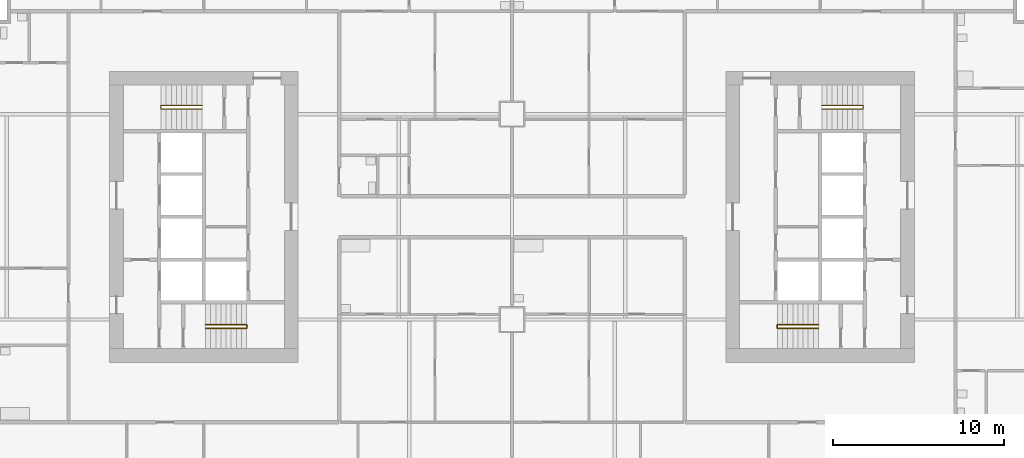
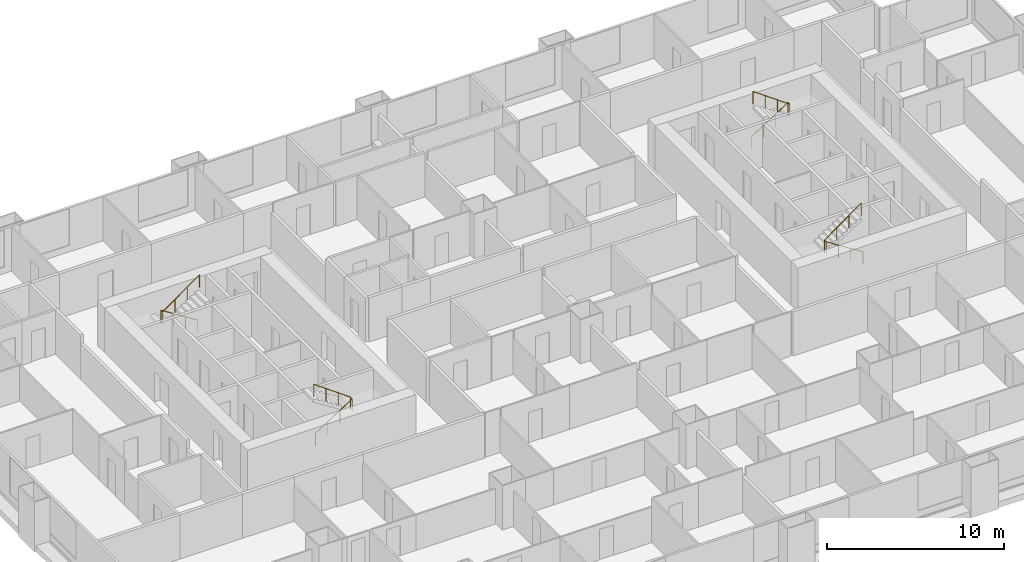
# One storey, part 12 of 13: 4 railings.
"""IFC4 building model written with IfcOpenShell, lengths in metres."""

from ifc_helpers import new_model, si_unit, direction, frame, origin, origin_2d, place, context, subcontext, project, spatial, circle, extrude, material, type_object, element, save


model = new_model("IFC4")

# Units and contexts
model_context = context("Model", 3, precision=1e-05, world=origin(), true_north=direction((0.0, 1.0)))
body_context = subcontext(model_context, "Body", "Model", "MODEL_VIEW")
ifc_project = project(units=[si_unit("LENGTHUNIT", "METRE"), si_unit("AREAUNIT", "SQUARE_METRE"), si_unit("VOLUMEUNIT", "CUBIC_METRE"), si_unit("PLANEANGLEUNIT", "RADIAN"), si_unit("MASSUNIT", "GRAM", prefix="KILO")], contexts=[model_context])

# Site, building, storey
site_placement = place(None, origin())
site = spatial("IfcSite", under=ifc_project, at=site_placement, CompositionType="ELEMENT")
building_placement = place(site_placement, origin())
building = spatial("IfcBuilding", under=site, at=building_placement, Name="Kitamizu Gate Tower and Museum", CompositionType="ELEMENT")
storey_placement = place(building_placement, frame((0.0, 0.0, 36.89990234375)))
storey = spatial("IfcBuildingStorey", under=building, at=storey_placement, Name="L07", CompositionType="ELEMENT", Elevation=36.89990234375)

# Railings
ifc_material = material(Name="Stainless steel SUS304", Category="steel")
railing_type = type_object("IfcRailingType", Name="Stair handrail 900", PredefinedType="HANDRAIL", material=ifc_material)
railing_1_placement = place(storey_placement, frame((18.10009765625, 23.5, 0.191650390625)))
element("IfcRailing", 1, at=railing_1_placement, inside=storey, type_object=railing_type, Name="Stair handrail ST1", PredefinedType="HANDRAIL", context=body_context, shape_type="SweptSolid", body=[
    extrude(circle(Radius=0.02392578125, at=origin_2d()), frame((0.0, 0.0, 0.8759765625), z_axis=(0.842668169335, 0.0, 0.538433242278), x_axis=(0.0, 1.0, 0.0)), (0.0, 0.0, 1.0), 2.847900390625),
    extrude(circle(Radius=0.02392578125, at=origin_2d()), frame((2.39990234375, 0.0, 2.4091796875), z_axis=(0.0, 1.0, 0.0), x_axis=(-1.0, 0.0, 0.0)), (0.0, 0.0, 1.0), 0.199951171875),
    extrude(circle(Radius=0.02392578125, at=origin_2d()), frame((2.39990234375, 0.199951171875, 2.4091796875), z_axis=(-0.811988456656, 0.0, 0.583673492852), x_axis=(0.0, -1.0, 0.0)), (0.0, 0.0, 1.0), 2.95556640625),
    extrude(circle(Radius=0.02099609375, at=origin_2d()), origin(), (0.0, 0.0, 1.0), 0.851806640625),
    extrude(circle(Radius=0.02099609375, at=origin_2d()), frame((0.800048828125, 0.0, 0.51123046875)), (0.0, 0.0, 1.0), 0.851806640625),
    extrude(circle(Radius=0.02099609375, at=origin_2d()), frame((1.599853515625, 0.0, 1.022216796875)), (0.0, 0.0, 1.0), 0.851806640625),
    extrude(circle(Radius=0.02099609375, at=origin_2d()), frame((2.39990234375, 0.0, 1.533447265625)), (0.0, 0.0, 1.0), 0.851806640625),
    extrude(circle(Radius=0.02099609375, at=origin_2d()), frame((2.39990234375, 0.199951171875, 1.533447265625)), (0.0, 0.0, 1.0), 0.851806640625),
    extrude(circle(Radius=0.02099609375, at=origin_2d()), frame((1.599853515625, 0.199951171875, 2.1083984375)), (0.0, 0.0, 1.0), 0.851806640625),
    extrude(circle(Radius=0.02099609375, at=origin_2d()), frame((0.800048828125, 0.199951171875, 2.68359375)), (0.0, 0.0, 1.0), 0.851806640625),
    extrude(circle(Radius=0.02099609375, at=origin_2d()), frame((0.0, 0.199951171875, 3.258544921875)), (0.0, 0.0, 1.0), 0.851806640625),
])
railing_2_placement = place(storey_placement, frame((17.89990234375, 36.5, 0.191650390625)))
element("IfcRailing", 2, at=railing_2_placement, inside=storey, type_object=railing_type, Name="Stair handrail ST2", PredefinedType="HANDRAIL", context=body_context, shape_type="SweptSolid", body=[
    extrude(circle(Radius=0.02392578125, at=origin_2d()), frame((0.0, 0.0, 0.8759765625), z_axis=(-0.842668169335, 0.0, 0.538433242278), x_axis=(0.0, -1.0, 0.0)), (0.0, 0.0, 1.0), 2.847900390625),
    extrude(circle(Radius=0.02392578125, at=origin_2d()), frame((-2.39990234375, 0.0, 2.4091796875), z_axis=(0.0, -1.0, 0.0), x_axis=(1.0, 0.0, 0.0)), (0.0, 0.0, 1.0), 0.199951171875),
    extrude(circle(Radius=0.02392578125, at=origin_2d()), frame((-2.39990234375, -0.199951171875, 2.4091796875), z_axis=(0.811988456656, 0.0, 0.583673492852), x_axis=(0.0, 1.0, 0.0)), (0.0, 0.0, 1.0), 2.95556640625),
    extrude(circle(Radius=0.02099609375, at=origin_2d()), origin(), (0.0, 0.0, 1.0), 0.851806640625),
    extrude(circle(Radius=0.02099609375, at=origin_2d()), frame((-0.800048828125, 0.0, 0.51123046875)), (0.0, 0.0, 1.0), 0.851806640625),
    extrude(circle(Radius=0.02099609375, at=origin_2d()), frame((-1.599853515625, 0.0, 1.022216796875)), (0.0, 0.0, 1.0), 0.851806640625),
    extrude(circle(Radius=0.02099609375, at=origin_2d()), frame((-2.39990234375, 0.0, 1.533447265625)), (0.0, 0.0, 1.0), 0.851806640625),
    extrude(circle(Radius=0.02099609375, at=origin_2d()), frame((-2.39990234375, -0.199951171875, 1.533447265625)), (0.0, 0.0, 1.0), 0.851806640625),
    extrude(circle(Radius=0.02099609375, at=origin_2d()), frame((-1.599853515625, -0.199951171875, 2.1083984375)), (0.0, 0.0, 1.0), 0.851806640625),
    extrude(circle(Radius=0.02099609375, at=origin_2d()), frame((-0.800048828125, -0.199951171875, 2.68359375)), (0.0, 0.0, 1.0), 0.851806640625),
    extrude(circle(Radius=0.02099609375, at=origin_2d()), frame((0.0, -0.199951171875, 3.258544921875)), (0.0, 0.0, 1.0), 0.851806640625),
])
railing_3_placement = place(storey_placement, frame((53.89990234375, 23.5, 0.191650390625)))
element("IfcRailing", 3, at=railing_3_placement, inside=storey, type_object=railing_type, Name="Stair handrail ST3", PredefinedType="HANDRAIL", context=body_context, shape_type="SweptSolid", body=[
    extrude(circle(Radius=0.02392578125, at=origin_2d()), frame((0.0, 0.0, 0.8759765625), z_axis=(-0.842668169335, 0.0, 0.538433242278), x_axis=(0.0, -1.0, 0.0)), (0.0, 0.0, 1.0), 2.847900390625),
    extrude(circle(Radius=0.02392578125, at=origin_2d()), frame((-2.39990234375, 0.0, 2.4091796875), z_axis=(0.0, 1.0, 0.0), x_axis=(-1.0, 0.0, 0.0)), (0.0, 0.0, 1.0), 0.199951171875),
    extrude(circle(Radius=0.02392578125, at=origin_2d()), frame((-2.39990234375, 0.199951171875, 2.4091796875), z_axis=(0.811988456656, 0.0, 0.583673492852), x_axis=(0.0, 1.0, 0.0)), (0.0, 0.0, 1.0), 2.95556640625),
    extrude(circle(Radius=0.02099609375, at=origin_2d()), origin(), (0.0, 0.0, 1.0), 0.851806640625),
    extrude(circle(Radius=0.02099609375, at=origin_2d()), frame((-0.800048828125, 0.0, 0.51123046875)), (0.0, 0.0, 1.0), 0.851806640625),
    extrude(circle(Radius=0.02099609375, at=origin_2d()), frame((-1.599853515625, 0.0, 1.022216796875)), (0.0, 0.0, 1.0), 0.851806640625),
    extrude(circle(Radius=0.02099609375, at=origin_2d()), frame((-2.39990234375, 0.0, 1.533447265625)), (0.0, 0.0, 1.0), 0.851806640625),
    extrude(circle(Radius=0.02099609375, at=origin_2d()), frame((-2.39990234375, 0.199951171875, 1.533447265625)), (0.0, 0.0, 1.0), 0.851806640625),
    extrude(circle(Radius=0.02099609375, at=origin_2d()), frame((-1.599853515625, 0.199951171875, 2.1083984375)), (0.0, 0.0, 1.0), 0.851806640625),
    extrude(circle(Radius=0.02099609375, at=origin_2d()), frame((-0.800048828125, 0.199951171875, 2.68359375)), (0.0, 0.0, 1.0), 0.851806640625),
    extrude(circle(Radius=0.02099609375, at=origin_2d()), frame((0.0, 0.199951171875, 3.258544921875)), (0.0, 0.0, 1.0), 0.851806640625),
])
railing_4_placement = place(storey_placement, frame((54.10009765625, 36.5, 0.191650390625)))
element("IfcRailing", 4, at=railing_4_placement, inside=storey, type_object=railing_type, Name="Stair handrail ST4", PredefinedType="HANDRAIL", context=body_context, shape_type="SweptSolid", body=[
    extrude(circle(Radius=0.02392578125, at=origin_2d()), frame((0.0, 0.0, 0.8759765625), z_axis=(0.842668169335, 0.0, 0.538433242278), x_axis=(0.0, 1.0, 0.0)), (0.0, 0.0, 1.0), 2.847900390625),
    extrude(circle(Radius=0.02392578125, at=origin_2d()), frame((2.39990234375, 0.0, 2.4091796875), z_axis=(0.0, -1.0, 0.0), x_axis=(1.0, 0.0, 0.0)), (0.0, 0.0, 1.0), 0.199951171875),
    extrude(circle(Radius=0.02392578125, at=origin_2d()), frame((2.39990234375, -0.199951171875, 2.4091796875), z_axis=(-0.811988456656, 0.0, 0.583673492852), x_axis=(0.0, -1.0, 0.0)), (0.0, 0.0, 1.0), 2.95556640625),
    extrude(circle(Radius=0.02099609375, at=origin_2d()), origin(), (0.0, 0.0, 1.0), 0.851806640625),
    extrude(circle(Radius=0.02099609375, at=origin_2d()), frame((0.800048828125, 0.0, 0.51123046875)), (0.0, 0.0, 1.0), 0.851806640625),
    extrude(circle(Radius=0.02099609375, at=origin_2d()), frame((1.599853515625, 0.0, 1.022216796875)), (0.0, 0.0, 1.0), 0.851806640625),
    extrude(circle(Radius=0.02099609375, at=origin_2d()), frame((2.39990234375, 0.0, 1.533447265625)), (0.0, 0.0, 1.0), 0.851806640625),
    extrude(circle(Radius=0.02099609375, at=origin_2d()), frame((2.39990234375, -0.199951171875, 1.533447265625)), (0.0, 0.0, 1.0), 0.851806640625),
    extrude(circle(Radius=0.02099609375, at=origin_2d()), frame((1.599853515625, -0.199951171875, 2.1083984375)), (0.0, 0.0, 1.0), 0.851806640625),
    extrude(circle(Radius=0.02099609375, at=origin_2d()), frame((0.800048828125, -0.199951171875, 2.68359375)), (0.0, 0.0, 1.0), 0.851806640625),
    extrude(circle(Radius=0.02099609375, at=origin_2d()), frame((0.0, -0.199951171875, 3.258544921875)), (0.0, 0.0, 1.0), 0.851806640625),
])

save(model, "model.ifc")
